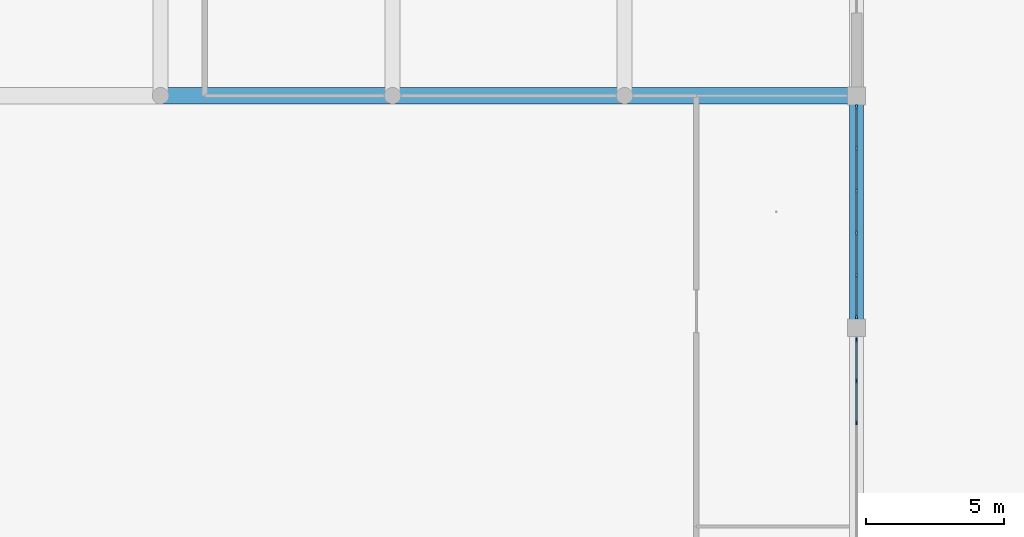
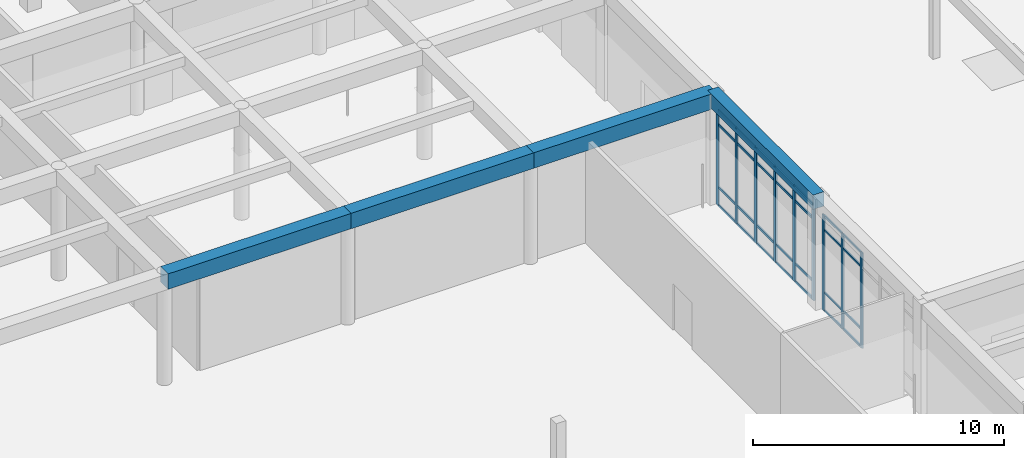
# One storey, part 23 of 167: 37 members, 4 beams, 2 elements without a shape of their own.
"""IFC4 building model written with IfcOpenShell, lengths in metres."""

from ifc_helpers import new_model, si_unit, direction, frame, origin, origin_2d, place, context, subcontext, project, spatial, rectangle, extrude, material, material_profile, profile_set, type_object, element, aggregate, save


model = new_model("IFC4")

# Units and contexts
model_context = context("Model", 3, precision=1e-05, world=origin(), true_north=direction((0.0, 1.0)))
body_context = subcontext(model_context, "Body", "Model", "MODEL_VIEW")
ifc_project = project(units=[si_unit("LENGTHUNIT", "METRE"), si_unit("AREAUNIT", "SQUARE_METRE"), si_unit("VOLUMEUNIT", "CUBIC_METRE"), si_unit("PLANEANGLEUNIT", "RADIAN"), si_unit("MASSUNIT", "GRAM", prefix="KILO")], contexts=[model_context])

# Site, building, storey
site_placement = place(None, origin())
site = spatial("IfcSite", under=ifc_project, at=site_placement, CompositionType="ELEMENT")
building_placement = place(site_placement, origin())
building = spatial("IfcBuilding", under=site, at=building_placement, Name="Varncliffe General Hospital", CompositionType="ELEMENT")
storey_placement = place(building_placement, origin())
storey = spatial("IfcBuildingStorey", under=building, at=storey_placement, Name="L00", CompositionType="ELEMENT", Elevation=0.0)

# Beams
ifc_material_1 = material(Name="Concrete C35/45 (CSA A23.1 35 MPa)", Category="concrete")
ifc_material_profile_1 = material_profile(ifc_material_1, rectangle(XDim=0.60009765625, YDim=0.75, at=origin_2d()), Name="RC 600x750")
ifc_profile_set_1 = profile_set([ifc_material_profile_1], Name="Concrete C35/45 (CSA A23.1 35 MPa)")
beam_type_1 = type_object("IfcBeamType", Name="Beam B23 (Int RC 600x750)", PredefinedType="BEAM", material=ifc_profile_set_1)
beam_1_placement = place(storey_placement, frame((92.39990234375, 57.60009765625, 5.02490234375), z_axis=(1.0, 0.0, 0.0), x_axis=(0.0, 1.0, 0.0)))
element("IfcBeam", 1, at=beam_1_placement, inside=storey, type_object=beam_type_1, Name="L00 Primary Beam B23-80", PredefinedType="BEAM", context=body_context, shape_type="SweptSolid", body=[
    extrude(rectangle(XDim=0.60009765625, YDim=0.75, at=origin_2d()), origin(), (0.0, 0.0, 1.0), 8.400146484375),
])
beam_2_placement = place(storey_placement, frame((100.800048828125, 57.60009765625, 5.02490234375), z_axis=(1.0, 0.0, 0.0), x_axis=(0.0, 1.0, 0.0)))
element("IfcBeam", 2, at=beam_2_placement, inside=storey, type_object=beam_type_1, Name="L00 Primary Beam B23-81", PredefinedType="BEAM", context=body_context, shape_type="SweptSolid", body=[
    extrude(rectangle(XDim=0.60009765625, YDim=0.75, at=origin_2d()), origin(), (0.0, 0.0, 1.0), 8.39990234375),
])
beam_3_placement = place(storey_placement, frame((109.199951171875, 57.60009765625, 5.02490234375), z_axis=(1.0, 0.0, 0.0), x_axis=(0.0, 1.0, 0.0)))
element("IfcBeam", 3, at=beam_3_placement, inside=storey, type_object=beam_type_1, Name="L00 Primary Beam B23-82", PredefinedType="BEAM", context=body_context, shape_type="SweptSolid", body=[
    extrude(rectangle(XDim=0.60009765625, YDim=0.75, at=origin_2d()), origin(), (0.0, 0.0, 1.0), 8.400146484375),
])

# Curtain wall, members
ifc_material_2 = material(Name="Triple low-E argon insulated vision glazing", Category="glass")
curtain_wall_type_1 = type_object("IfcCurtainWallType", Name="Unitised Glazed Curtain Wall CW15 (7674x4640)", PredefinedType="USERDEFINED", material=ifc_material_2)
curtain_wall_1_placement = place(storey_placement, origin())
curtain_wall_1 = element("IfcCurtainWall", 4, at=curtain_wall_1_placement, inside=storey, type_object=curtain_wall_type_1, Name="L00 Glazed Curtain Wall CW15-37", ObjectType="GLAZED CURTAIN WALL", PredefinedType="USERDEFINED")
ifc_material_3 = material(Name="Dark bronze thermally broken aluminium framing", Category="aluminium")
ifc_material_profile_2 = material_profile(ifc_material_3, rectangle(XDim=0.074951171875, YDim=0.179931640625, at=origin_2d()), Name="ALU 75x180")
ifc_profile_set_2 = profile_set([ifc_material_profile_2], Name="Dark bronze thermally broken aluminium framing")
member_type_1 = type_object("IfcMemberType", Name="Curtain Wall Mullion CM44 (ALU 75x180)", PredefinedType="MULLION", material=ifc_profile_set_2)
member_1_placement = place(storey_placement, frame((117.60009765625, 57.199462890625, 0.0), z_axis=(0.0, 0.0, 1.0), x_axis=(1.0, 0.0, 0.0)))
member_1 = element("IfcMember", 5, at=member_1_placement, type_object=member_type_1, Name="CW15 mullion 1", PredefinedType="MULLION", context=body_context, shape_type="SweptSolid", body=[
    extrude(rectangle(XDim=0.074951171875, YDim=0.179931640625, at=origin_2d()), origin(), (0.0, 0.0, 1.0), 4.639892578125),
])
member_2_placement = place(storey_placement, frame((117.60009765625, 55.7021484375, 0.0), z_axis=(0.0, 0.0, 1.0), x_axis=(1.0, 0.0, 0.0)))
member_2 = element("IfcMember", 6, at=member_2_placement, type_object=member_type_1, Name="CW15 mullion 2", PredefinedType="MULLION", context=body_context, shape_type="SweptSolid", body=[
    extrude(rectangle(XDim=0.074951171875, YDim=0.179931640625, at=origin_2d()), origin(), (0.0, 0.0, 1.0), 4.639892578125),
])
member_3_placement = place(storey_placement, frame((117.60009765625, 54.16748046875, 0.0), z_axis=(0.0, 0.0, 1.0), x_axis=(1.0, 0.0, 0.0)))
member_3 = element("IfcMember", 7, at=member_3_placement, type_object=member_type_1, Name="CW15 mullion 3", PredefinedType="MULLION", context=body_context, shape_type="SweptSolid", body=[
    extrude(rectangle(XDim=0.074951171875, YDim=0.179931640625, at=origin_2d()), origin(), (0.0, 0.0, 1.0), 4.639892578125),
])
member_4_placement = place(storey_placement, frame((117.60009765625, 52.632568359375, 0.0), z_axis=(0.0, 0.0, 1.0), x_axis=(1.0, 0.0, 0.0)))
member_4 = element("IfcMember", 8, at=member_4_placement, type_object=member_type_1, Name="CW15 mullion 4", PredefinedType="MULLION", context=body_context, shape_type="SweptSolid", body=[
    extrude(rectangle(XDim=0.074951171875, YDim=0.179931640625, at=origin_2d()), origin(), (0.0, 0.0, 1.0), 4.639892578125),
])
member_5_placement = place(storey_placement, frame((117.60009765625, 51.097900390625, 0.0), z_axis=(0.0, 0.0, 1.0), x_axis=(1.0, 0.0, 0.0)))
member_5 = element("IfcMember", 9, at=member_5_placement, type_object=member_type_1, Name="CW15 mullion 5", PredefinedType="MULLION", context=body_context, shape_type="SweptSolid", body=[
    extrude(rectangle(XDim=0.074951171875, YDim=0.179931640625, at=origin_2d()), origin(), (0.0, 0.0, 1.0), 4.639892578125),
])
member_6_placement = place(storey_placement, frame((117.60009765625, 49.6005859375, 0.0), z_axis=(0.0, 0.0, 1.0), x_axis=(1.0, 0.0, 0.0)))
member_6 = element("IfcMember", 10, at=member_6_placement, type_object=member_type_1, Name="CW15 mullion 6", PredefinedType="MULLION", context=body_context, shape_type="SweptSolid", body=[
    extrude(rectangle(XDim=0.074951171875, YDim=0.179931640625, at=origin_2d()), origin(), (0.0, 0.0, 1.0), 4.639892578125),
])

curtain_wall_type_2 = type_object("IfcCurtainWallType", Name="Unitised Glazed Curtain Wall CW26 (7594x4640)", PredefinedType="USERDEFINED", material=ifc_material_2)
curtain_wall_2_placement = place(storey_placement, origin())
curtain_wall_2 = element("IfcCurtainWall", 11, at=curtain_wall_2_placement, inside=storey, type_object=curtain_wall_type_2, Name="L00 Glazed Curtain Wall CW26-38", ObjectType="GLAZED CURTAIN WALL", PredefinedType="USERDEFINED")
ifc_material_profile_3 = material_profile(ifc_material_3, rectangle(XDim=0.06494140625, YDim=0.159912109375, at=origin_2d()), Name="ALU 65x160")
ifc_profile_set_3 = profile_set([ifc_material_profile_3], Name="Dark bronze thermally broken aluminium framing")
member_type_2 = type_object("IfcMemberType", Name="Curtain Wall Mullion CM65 (ALU 65x160)", PredefinedType="MULLION", material=ifc_profile_set_3)
member_7_placement = place(storey_placement, frame((117.60009765625, 48.764404296875, 0.0), z_axis=(0.0, 0.0, 1.0), x_axis=(1.0, 0.0, 0.0)))
member_7 = element("IfcMember", 12, at=member_7_placement, type_object=member_type_2, Name="CW26 mullion 1", PredefinedType="MULLION", context=body_context, shape_type="SweptSolid", body=[
    extrude(rectangle(XDim=0.06494140625, YDim=0.159912109375, at=origin_2d()), origin(), (0.0, 0.0, 1.0), 4.639892578125),
])
member_8_placement = place(storey_placement, frame((117.60009765625, 47.2783203125, 0.0), z_axis=(0.0, 0.0, 1.0), x_axis=(1.0, 0.0, 0.0)))
member_8 = element("IfcMember", 13, at=member_8_placement, type_object=member_type_2, Name="CW26 mullion 2", PredefinedType="MULLION", context=body_context, shape_type="SweptSolid", body=[
    extrude(rectangle(XDim=0.06494140625, YDim=0.159912109375, at=origin_2d()), origin(), (0.0, 0.0, 1.0), 4.639892578125),
])
member_9_placement = place(storey_placement, frame((117.60009765625, 45.759521484375, 0.0), z_axis=(0.0, 0.0, 1.0), x_axis=(1.0, 0.0, 0.0)))
member_9 = element("IfcMember", 14, at=member_9_placement, type_object=member_type_2, Name="CW26 mullion 3", PredefinedType="MULLION", context=body_context, shape_type="SweptSolid", body=[
    extrude(rectangle(XDim=0.06494140625, YDim=0.159912109375, at=origin_2d()), origin(), (0.0, 0.0, 1.0), 4.639892578125),
])

# Member
ifc_material_profile_4 = material_profile(ifc_material_3, rectangle(XDim=0.06005859375, YDim=0.1201171875, at=origin_2d()), Name="ALU 60x120")
ifc_profile_set_4 = profile_set([ifc_material_profile_4], Name="Dark bronze thermally broken aluminium framing")
member_type_3 = type_object("IfcMemberType", Name="Curtain Wall Transom CT14 (ALU 60x120)", PredefinedType="USERDEFINED", material=ifc_profile_set_4)
member_10_placement = place(storey_placement, frame((117.60009765625, 57.162109375, 0.030029296875), z_axis=(0.0, -1.0, 0.0), x_axis=(1.0, 0.0, 0.0)))
member_10 = element("IfcMember", 15, at=member_10_placement, type_object=member_type_3, Name="CW15 transom 1.1", ObjectType="TRANSOM", PredefinedType="USERDEFINED", context=body_context, shape_type="SweptSolid", body=[
    extrude(rectangle(XDim=0.06005859375, YDim=0.1201171875, at=origin_2d()), origin(), (0.0, 0.0, 1.0), 1.42236328125),
])

member_11_placement = place(storey_placement, frame((117.60009765625, 57.162109375, 0.89990234375), z_axis=(0.0, -1.0, 0.0), x_axis=(1.0, 0.0, 0.0)))
member_11 = element("IfcMember", 16, at=member_11_placement, type_object=member_type_3, Name="CW15 transom 1.2", ObjectType="TRANSOM", PredefinedType="USERDEFINED", context=body_context, shape_type="SweptSolid", body=[
    extrude(rectangle(XDim=0.06005859375, YDim=0.1201171875, at=origin_2d()), origin(), (0.0, 0.0, 1.0), 1.42236328125),
])

member_12_placement = place(storey_placement, frame((117.60009765625, 57.162109375, 3.93994140625), z_axis=(0.0, -1.0, 0.0), x_axis=(1.0, 0.0, 0.0)))
member_12 = element("IfcMember", 17, at=member_12_placement, type_object=member_type_3, Name="CW15 transom 1.3", ObjectType="TRANSOM", PredefinedType="USERDEFINED", context=body_context, shape_type="SweptSolid", body=[
    extrude(rectangle(XDim=0.06005859375, YDim=0.1201171875, at=origin_2d()), origin(), (0.0, 0.0, 1.0), 1.42236328125),
])

member_13_placement = place(storey_placement, frame((117.60009765625, 57.162109375, 4.610107421875), z_axis=(0.0, -1.0, 0.0), x_axis=(1.0, 0.0, 0.0)))
member_13 = element("IfcMember", 18, at=member_13_placement, type_object=member_type_3, Name="CW15 transom 1.4", ObjectType="TRANSOM", PredefinedType="USERDEFINED", context=body_context, shape_type="SweptSolid", body=[
    extrude(rectangle(XDim=0.06005859375, YDim=0.1201171875, at=origin_2d()), origin(), (0.0, 0.0, 1.0), 1.42236328125),
])

member_14_placement = place(storey_placement, frame((117.60009765625, 55.664794921875, 0.030029296875), z_axis=(0.0, -1.0, 0.0), x_axis=(1.0, 0.0, 0.0)))
member_14 = element("IfcMember", 19, at=member_14_placement, type_object=member_type_3, Name="CW15 transom 2.1", ObjectType="TRANSOM", PredefinedType="USERDEFINED", context=body_context, shape_type="SweptSolid", body=[
    extrude(rectangle(XDim=0.06005859375, YDim=0.1201171875, at=origin_2d()), origin(), (0.0, 0.0, 1.0), 1.4599609375),
])

member_15_placement = place(storey_placement, frame((117.60009765625, 55.664794921875, 0.89990234375), z_axis=(0.0, -1.0, 0.0), x_axis=(1.0, 0.0, 0.0)))
member_15 = element("IfcMember", 20, at=member_15_placement, type_object=member_type_3, Name="CW15 transom 2.2", ObjectType="TRANSOM", PredefinedType="USERDEFINED", context=body_context, shape_type="SweptSolid", body=[
    extrude(rectangle(XDim=0.06005859375, YDim=0.1201171875, at=origin_2d()), origin(), (0.0, 0.0, 1.0), 1.4599609375),
])

member_16_placement = place(storey_placement, frame((117.60009765625, 55.664794921875, 3.93994140625), z_axis=(0.0, -1.0, 0.0), x_axis=(1.0, 0.0, 0.0)))
member_16 = element("IfcMember", 21, at=member_16_placement, type_object=member_type_3, Name="CW15 transom 2.3", ObjectType="TRANSOM", PredefinedType="USERDEFINED", context=body_context, shape_type="SweptSolid", body=[
    extrude(rectangle(XDim=0.06005859375, YDim=0.1201171875, at=origin_2d()), origin(), (0.0, 0.0, 1.0), 1.4599609375),
])

member_17_placement = place(storey_placement, frame((117.60009765625, 55.664794921875, 4.610107421875), z_axis=(0.0, -1.0, 0.0), x_axis=(1.0, 0.0, 0.0)))
member_17 = element("IfcMember", 22, at=member_17_placement, type_object=member_type_3, Name="CW15 transom 2.4", ObjectType="TRANSOM", PredefinedType="USERDEFINED", context=body_context, shape_type="SweptSolid", body=[
    extrude(rectangle(XDim=0.06005859375, YDim=0.1201171875, at=origin_2d()), origin(), (0.0, 0.0, 1.0), 1.4599609375),
])

member_18_placement = place(storey_placement, frame((117.60009765625, 54.1298828125, 0.030029296875), z_axis=(0.0, -1.0, 0.0), x_axis=(1.0, 0.0, 0.0)))
member_18 = element("IfcMember", 23, at=member_18_placement, type_object=member_type_3, Name="CW15 transom 3.1", ObjectType="TRANSOM", PredefinedType="USERDEFINED", context=body_context, shape_type="SweptSolid", body=[
    extrude(rectangle(XDim=0.06005859375, YDim=0.1201171875, at=origin_2d()), origin(), (0.0, 0.0, 1.0), 1.459716796875),
])

member_19_placement = place(storey_placement, frame((117.60009765625, 54.1298828125, 0.89990234375), z_axis=(0.0, -1.0, 0.0), x_axis=(1.0, 0.0, 0.0)))
member_19 = element("IfcMember", 24, at=member_19_placement, type_object=member_type_3, Name="CW15 transom 3.2", ObjectType="TRANSOM", PredefinedType="USERDEFINED", context=body_context, shape_type="SweptSolid", body=[
    extrude(rectangle(XDim=0.06005859375, YDim=0.1201171875, at=origin_2d()), origin(), (0.0, 0.0, 1.0), 1.459716796875),
])

member_20_placement = place(storey_placement, frame((117.60009765625, 54.1298828125, 3.93994140625), z_axis=(0.0, -1.0, 0.0), x_axis=(1.0, 0.0, 0.0)))
member_20 = element("IfcMember", 25, at=member_20_placement, type_object=member_type_3, Name="CW15 transom 3.3", ObjectType="TRANSOM", PredefinedType="USERDEFINED", context=body_context, shape_type="SweptSolid", body=[
    extrude(rectangle(XDim=0.06005859375, YDim=0.1201171875, at=origin_2d()), origin(), (0.0, 0.0, 1.0), 1.459716796875),
])

member_21_placement = place(storey_placement, frame((117.60009765625, 54.1298828125, 4.610107421875), z_axis=(0.0, -1.0, 0.0), x_axis=(1.0, 0.0, 0.0)))
member_21 = element("IfcMember", 26, at=member_21_placement, type_object=member_type_3, Name="CW15 transom 3.4", ObjectType="TRANSOM", PredefinedType="USERDEFINED", context=body_context, shape_type="SweptSolid", body=[
    extrude(rectangle(XDim=0.06005859375, YDim=0.1201171875, at=origin_2d()), origin(), (0.0, 0.0, 1.0), 1.459716796875),
])

member_22_placement = place(storey_placement, frame((117.60009765625, 52.59521484375, 0.030029296875), z_axis=(0.0, -1.0, 0.0), x_axis=(1.0, 0.0, 0.0)))
member_22 = element("IfcMember", 27, at=member_22_placement, type_object=member_type_3, Name="CW15 transom 4.1", ObjectType="TRANSOM", PredefinedType="USERDEFINED", context=body_context, shape_type="SweptSolid", body=[
    extrude(rectangle(XDim=0.06005859375, YDim=0.1201171875, at=origin_2d()), origin(), (0.0, 0.0, 1.0), 1.4599609375),
])

member_23_placement = place(storey_placement, frame((117.60009765625, 52.59521484375, 0.89990234375), z_axis=(0.0, -1.0, 0.0), x_axis=(1.0, 0.0, 0.0)))
member_23 = element("IfcMember", 28, at=member_23_placement, type_object=member_type_3, Name="CW15 transom 4.2", ObjectType="TRANSOM", PredefinedType="USERDEFINED", context=body_context, shape_type="SweptSolid", body=[
    extrude(rectangle(XDim=0.06005859375, YDim=0.1201171875, at=origin_2d()), origin(), (0.0, 0.0, 1.0), 1.4599609375),
])

member_24_placement = place(storey_placement, frame((117.60009765625, 52.59521484375, 3.93994140625), z_axis=(0.0, -1.0, 0.0), x_axis=(1.0, 0.0, 0.0)))
member_24 = element("IfcMember", 29, at=member_24_placement, type_object=member_type_3, Name="CW15 transom 4.3", ObjectType="TRANSOM", PredefinedType="USERDEFINED", context=body_context, shape_type="SweptSolid", body=[
    extrude(rectangle(XDim=0.06005859375, YDim=0.1201171875, at=origin_2d()), origin(), (0.0, 0.0, 1.0), 1.4599609375),
])

member_25_placement = place(storey_placement, frame((117.60009765625, 52.59521484375, 4.610107421875), z_axis=(0.0, -1.0, 0.0), x_axis=(1.0, 0.0, 0.0)))
member_25 = element("IfcMember", 30, at=member_25_placement, type_object=member_type_3, Name="CW15 transom 4.4", ObjectType="TRANSOM", PredefinedType="USERDEFINED", context=body_context, shape_type="SweptSolid", body=[
    extrude(rectangle(XDim=0.06005859375, YDim=0.1201171875, at=origin_2d()), origin(), (0.0, 0.0, 1.0), 1.4599609375),
])

member_26_placement = place(storey_placement, frame((117.60009765625, 51.060302734375, 0.030029296875), z_axis=(0.0, -1.0, 0.0), x_axis=(1.0, 0.0, 0.0)))
member_26 = element("IfcMember", 31, at=member_26_placement, type_object=member_type_3, Name="CW15 transom 5.1", ObjectType="TRANSOM", PredefinedType="USERDEFINED", context=body_context, shape_type="SweptSolid", body=[
    extrude(rectangle(XDim=0.06005859375, YDim=0.1201171875, at=origin_2d()), origin(), (0.0, 0.0, 1.0), 1.42236328125),
])

member_27_placement = place(storey_placement, frame((117.60009765625, 51.060302734375, 0.89990234375), z_axis=(0.0, -1.0, 0.0), x_axis=(1.0, 0.0, 0.0)))
member_27 = element("IfcMember", 32, at=member_27_placement, type_object=member_type_3, Name="CW15 transom 5.2", ObjectType="TRANSOM", PredefinedType="USERDEFINED", context=body_context, shape_type="SweptSolid", body=[
    extrude(rectangle(XDim=0.06005859375, YDim=0.1201171875, at=origin_2d()), origin(), (0.0, 0.0, 1.0), 1.42236328125),
])

member_28_placement = place(storey_placement, frame((117.60009765625, 51.060302734375, 3.93994140625), z_axis=(0.0, -1.0, 0.0), x_axis=(1.0, 0.0, 0.0)))
member_28 = element("IfcMember", 33, at=member_28_placement, type_object=member_type_3, Name="CW15 transom 5.3", ObjectType="TRANSOM", PredefinedType="USERDEFINED", context=body_context, shape_type="SweptSolid", body=[
    extrude(rectangle(XDim=0.06005859375, YDim=0.1201171875, at=origin_2d()), origin(), (0.0, 0.0, 1.0), 1.42236328125),
])

member_29_placement = place(storey_placement, frame((117.60009765625, 51.060302734375, 4.610107421875), z_axis=(0.0, -1.0, 0.0), x_axis=(1.0, 0.0, 0.0)))
member_29 = element("IfcMember", 34, at=member_29_placement, type_object=member_type_3, Name="CW15 transom 5.4", ObjectType="TRANSOM", PredefinedType="USERDEFINED", context=body_context, shape_type="SweptSolid", body=[
    extrude(rectangle(XDim=0.06005859375, YDim=0.1201171875, at=origin_2d()), origin(), (0.0, 0.0, 1.0), 1.42236328125),
])

aggregate(curtain_wall_1, [member_1, member_2, member_3, member_4, member_5, member_6, member_10, member_11, member_12, member_13, member_14, member_15, member_16, member_17, member_18, member_19, member_20, member_21, member_22, member_23, member_24, member_25, member_26, member_27, member_28, member_29])

ifc_material_profile_5 = material_profile(ifc_material_3, rectangle(XDim=0.06005859375, YDim=0.10009765625, at=origin_2d()), Name="ALU 60x100")
ifc_profile_set_5 = profile_set([ifc_material_profile_5], Name="Dark bronze thermally broken aluminium framing")
member_type_4 = type_object("IfcMemberType", Name="Curtain Wall Transom CT18 (ALU 60x100)", PredefinedType="USERDEFINED", material=ifc_profile_set_5)
member_30_placement = place(storey_placement, frame((117.60009765625, 48.73193359375, 0.030029296875), z_axis=(0.0, -1.0, 0.0), x_axis=(1.0, 0.0, 0.0)))
member_30 = element("IfcMember", 35, at=member_30_placement, type_object=member_type_4, Name="CW26 transom 1.1", ObjectType="TRANSOM", PredefinedType="USERDEFINED", context=body_context, shape_type="SweptSolid", body=[
    extrude(rectangle(XDim=0.06005859375, YDim=0.10009765625, at=origin_2d()), origin(), (0.0, 0.0, 1.0), 1.421142578125),
])

member_31_placement = place(storey_placement, frame((117.60009765625, 48.73193359375, 0.89990234375), z_axis=(0.0, -1.0, 0.0), x_axis=(1.0, 0.0, 0.0)))
member_31 = element("IfcMember", 36, at=member_31_placement, type_object=member_type_4, Name="CW26 transom 1.2", ObjectType="TRANSOM", PredefinedType="USERDEFINED", context=body_context, shape_type="SweptSolid", body=[
    extrude(rectangle(XDim=0.06005859375, YDim=0.10009765625, at=origin_2d()), origin(), (0.0, 0.0, 1.0), 1.421142578125),
])

member_32_placement = place(storey_placement, frame((117.60009765625, 48.73193359375, 3.93994140625), z_axis=(0.0, -1.0, 0.0), x_axis=(1.0, 0.0, 0.0)))
member_32 = element("IfcMember", 37, at=member_32_placement, type_object=member_type_4, Name="CW26 transom 1.3", ObjectType="TRANSOM", PredefinedType="USERDEFINED", context=body_context, shape_type="SweptSolid", body=[
    extrude(rectangle(XDim=0.06005859375, YDim=0.10009765625, at=origin_2d()), origin(), (0.0, 0.0, 1.0), 1.421142578125),
])

member_33_placement = place(storey_placement, frame((117.60009765625, 48.73193359375, 4.610107421875), z_axis=(0.0, -1.0, 0.0), x_axis=(1.0, 0.0, 0.0)))
member_33 = element("IfcMember", 38, at=member_33_placement, type_object=member_type_4, Name="CW26 transom 1.4", ObjectType="TRANSOM", PredefinedType="USERDEFINED", context=body_context, shape_type="SweptSolid", body=[
    extrude(rectangle(XDim=0.06005859375, YDim=0.10009765625, at=origin_2d()), origin(), (0.0, 0.0, 1.0), 1.421142578125),
])

member_34_placement = place(storey_placement, frame((117.60009765625, 47.24560546875, 0.030029296875), z_axis=(0.0, -1.0, 0.0), x_axis=(1.0, 0.0, 0.0)))
member_34 = element("IfcMember", 39, at=member_34_placement, type_object=member_type_4, Name="CW26 transom 2.1", ObjectType="TRANSOM", PredefinedType="USERDEFINED", context=body_context, shape_type="SweptSolid", body=[
    extrude(rectangle(XDim=0.06005859375, YDim=0.10009765625, at=origin_2d()), origin(), (0.0, 0.0, 1.0), 1.45361328125),
])

member_35_placement = place(storey_placement, frame((117.60009765625, 47.24560546875, 0.89990234375), z_axis=(0.0, -1.0, 0.0), x_axis=(1.0, 0.0, 0.0)))
member_35 = element("IfcMember", 40, at=member_35_placement, type_object=member_type_4, Name="CW26 transom 2.2", ObjectType="TRANSOM", PredefinedType="USERDEFINED", context=body_context, shape_type="SweptSolid", body=[
    extrude(rectangle(XDim=0.06005859375, YDim=0.10009765625, at=origin_2d()), origin(), (0.0, 0.0, 1.0), 1.45361328125),
])

member_36_placement = place(storey_placement, frame((117.60009765625, 47.24560546875, 3.93994140625), z_axis=(0.0, -1.0, 0.0), x_axis=(1.0, 0.0, 0.0)))
member_36 = element("IfcMember", 41, at=member_36_placement, type_object=member_type_4, Name="CW26 transom 2.3", ObjectType="TRANSOM", PredefinedType="USERDEFINED", context=body_context, shape_type="SweptSolid", body=[
    extrude(rectangle(XDim=0.06005859375, YDim=0.10009765625, at=origin_2d()), origin(), (0.0, 0.0, 1.0), 1.45361328125),
])

member_37_placement = place(storey_placement, frame((117.60009765625, 47.24560546875, 4.610107421875), z_axis=(0.0, -1.0, 0.0), x_axis=(1.0, 0.0, 0.0)))
member_37 = element("IfcMember", 42, at=member_37_placement, type_object=member_type_4, Name="CW26 transom 2.4", ObjectType="TRANSOM", PredefinedType="USERDEFINED", context=body_context, shape_type="SweptSolid", body=[
    extrude(rectangle(XDim=0.06005859375, YDim=0.10009765625, at=origin_2d()), origin(), (0.0, 0.0, 1.0), 1.45361328125),
])

aggregate(curtain_wall_2, [member_7, member_8, member_9, member_30, member_31, member_32, member_33, member_34, member_35, member_36, member_37])

# Beam
ifc_material_profile_6 = material_profile(ifc_material_1, rectangle(XDim=0.5, YDim=0.699951171875, at=origin_2d()), Name="RC 500x700")
ifc_profile_set_6 = profile_set([ifc_material_profile_6], Name="Concrete C35/45 (CSA A23.1 35 MPa)")
beam_type_2 = type_object("IfcBeamType", Name="Spandrel SP19 (Ext RC 500x700)", PredefinedType="SPANDREL", material=ifc_profile_set_6)
beam_4_placement = place(storey_placement, frame((117.60009765625, 49.199951171875, 5.050048828125), z_axis=(0.0, 1.0, 0.0), x_axis=(-1.0, 0.0, 0.0)))
element("IfcBeam", 43, at=beam_4_placement, inside=storey, type_object=beam_type_2, Name="L00 Spandrel Beam SP19-421", PredefinedType="SPANDREL", context=body_context, shape_type="SweptSolid", body=[
    extrude(rectangle(XDim=0.5, YDim=0.699951171875, at=origin_2d()), origin(), (0.0, 0.0, 1.0), 8.400146484375),
])

save(model, "model.ifc")
